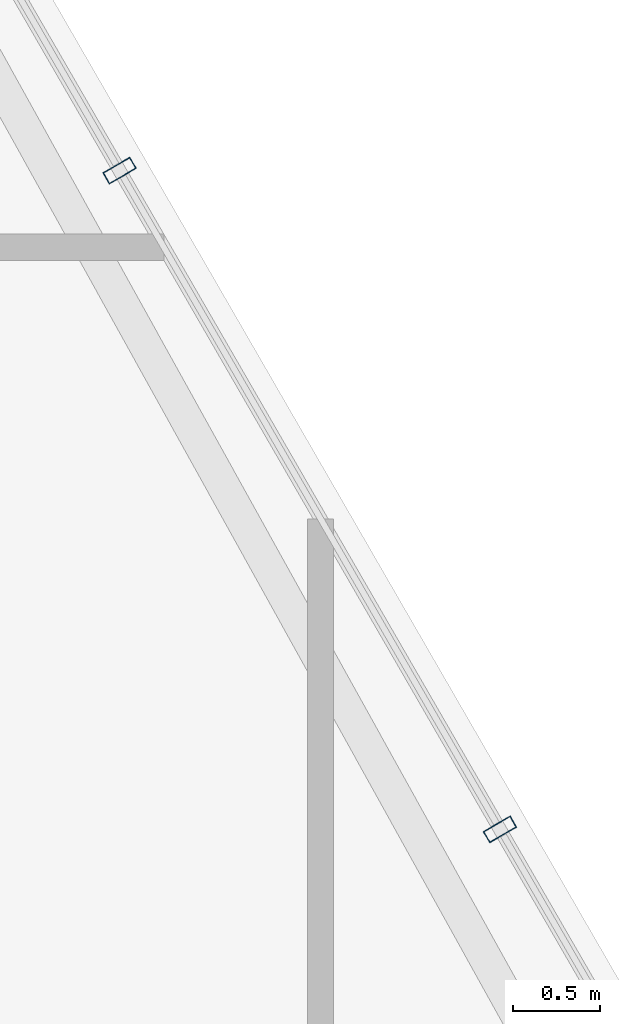
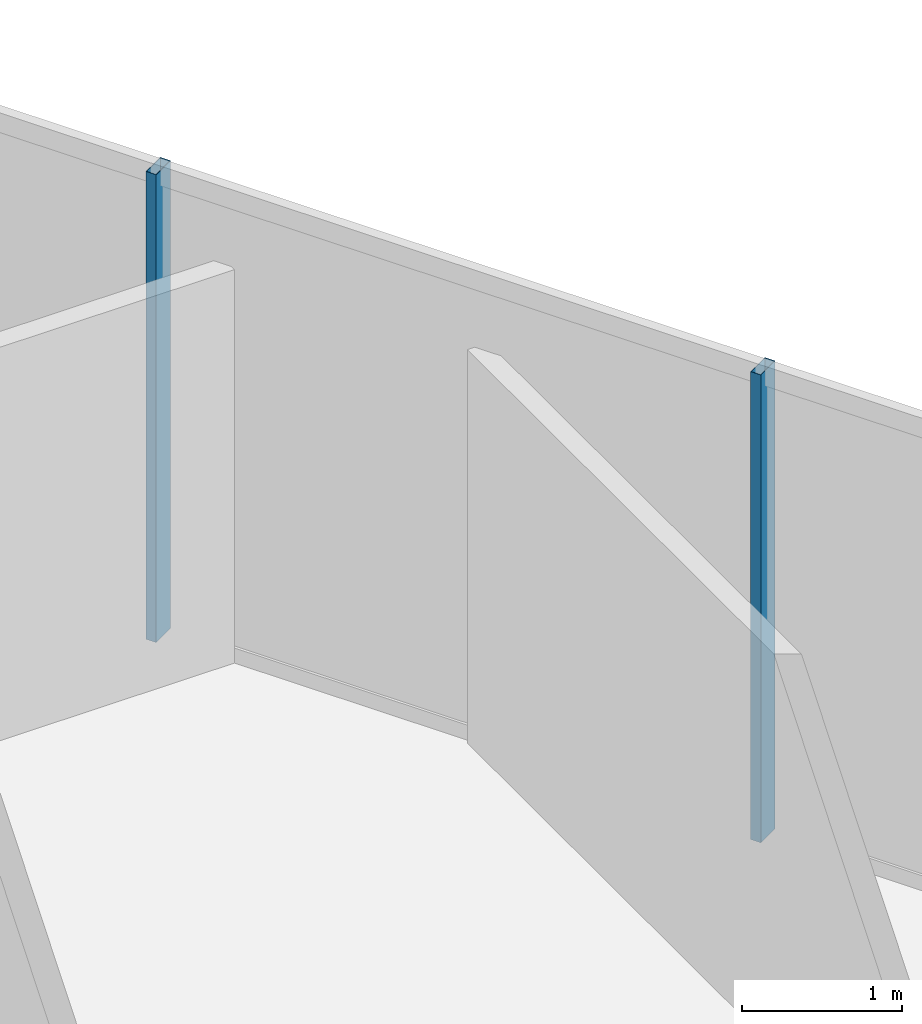
# One storey, part 17 of 29: 2 members, 1 element without a shape of its own.
"""IFC4 building model written with IfcOpenShell, lengths in metres."""

import ifcopenshell
import ifcopenshell.guid

model = None  # the IFC model being written
_history = None  # IfcOwnerHistory: only IFC2X3 demands one
_inside = {}  # id of a spatial element -> (the spatial element, [elements in it])
_under = {}  # id of a project, library or spatial element -> (it, [spatial elements below it])
_declared = {}  # id of a project -> (the project, [libraries it declares])
_typed = {}  # id of a type object -> (the type object, [elements of that type])
_made_of = {}  # id of a material, layer set ... -> (it, [elements and type objects made of it])


def new_model(schema):
    """Start an empty IFC model of exactly this schema.

    Asked for "IFC4X3", IfcOpenShell would pick the latest addendum, in which some entities
    have other attributes; the version numbers below select the first issue.
    IFC2X3 requires an IfcOwnerHistory on every rooted entity: one is made here for all.
    """
    global model, _history
    if schema == "IFC4X3":
        model = ifcopenshell.file(schema_version=(4, 3, 0, 0))
    else:
        model = ifcopenshell.file(schema=schema)
    _inside.clear()
    _under.clear()
    _declared.clear()
    _typed.clear()
    _made_of.clear()
    _history = None
    if model.schema == "IFC2X3":
        org = make("IfcOrganization", Name="unknown")
        user = make(
            "IfcPersonAndOrganization",
            ThePerson=make("IfcPerson", FamilyName="unknown"),
            TheOrganization=org,
        )
        app = make(
            "IfcApplication",
            ApplicationDeveloper=org,
            Version="unknown",
            ApplicationFullName="unknown",
            ApplicationIdentifier="unknown",
        )
        _history = make(
            "IfcOwnerHistory",
            OwningUser=user,
            OwningApplication=app,
            ChangeAction="ADDED",
            CreationDate=0,
        )
    return model


def make(cls, **values):
    """One entity of the class cls with the attributes given. An attribute that is None is left unset."""
    return model.create_entity(
        cls, **{name: value for name, value in values.items() if value is not None}
    )


def rooted(cls, **values):
    """An entity with a GlobalId (a new one), such as an element, a storey or a relation."""
    return make(cls, GlobalId=ifcopenshell.guid.new(), OwnerHistory=_history, **values)


def si_unit(unit_type, name, prefix=None):
    """IfcSIUnit, for example si_unit("LENGTHUNIT", "METRE", prefix="MILLI")."""
    return make("IfcSIUnit", UnitType=unit_type, Prefix=prefix, Name=name)


def assignment(units):
    """IfcUnitAssignment: the units of a project."""
    return None if units is None else make("IfcUnitAssignment", Units=units)


def point(xyz):
    """IfcCartesianPoint."""
    return None if xyz is None else make("IfcCartesianPoint", Coordinates=xyz)


def direction(xyz):
    """IfcDirection."""
    return None if xyz is None else make("IfcDirection", DirectionRatios=xyz)


def frame(location, z_axis=None, x_axis=None):
    """IfcAxis2Placement3D, a coordinate frame: its origin and axes. An axis left out is left unset."""
    return make(
        "IfcAxis2Placement3D",
        Location=point(location),
        Axis=direction(z_axis),
        RefDirection=direction(x_axis),
    )


def frame_2d(location, x_axis=None):
    """IfcAxis2Placement2D, a coordinate frame in the plane: its origin and x axis."""
    return make(
        "IfcAxis2Placement2D", Location=point(location), RefDirection=direction(x_axis)
    )


def origin():
    """The frame at (0, 0, 0) with its axes left unset."""
    return frame((0.0, 0.0, 0.0))


def origin_2d():
    """The frame at (0, 0) in the plane with its x axis left unset."""
    return frame_2d((0.0, 0.0))


def place(relative_to, where):
    """IfcLocalPlacement: puts the frame where relative to a parent placement (None: the world)."""
    return make(
        "IfcLocalPlacement", PlacementRelTo=relative_to, RelativePlacement=where
    )


def context(
    kind, dimensions, precision=None, world=None, true_north=None, identifier=None
):
    """IfcGeometricRepresentationContext, for example the 3D "Model" context."""
    return make(
        "IfcGeometricRepresentationContext",
        ContextIdentifier=identifier,
        ContextType=kind,
        CoordinateSpaceDimension=dimensions,
        Precision=precision,
        WorldCoordinateSystem=world,
        TrueNorth=true_north,
    )


def subcontext(parent, identifier, kind, view, scale=None):
    """IfcGeometricRepresentationSubContext, for example "Body" below "Model"."""
    return make(
        "IfcGeometricRepresentationSubContext",
        ContextIdentifier=identifier,
        ContextType=kind,
        ParentContext=parent,
        TargetScale=scale,
        TargetView=view,
    )


def project(units=None, contexts=None):
    """IfcProject with its units and contexts."""
    return rooted(
        "IfcProject",
        Name="project",
        RepresentationContexts=contexts,
        UnitsInContext=assignment(units),
    )


def spatial(cls, under=None, at=None, **own):
    """A site, building, storey or space (cls), placed at a placement, below another one or the project."""
    s = rooted(cls, ObjectPlacement=at, **own)
    if under is not None:
        _under.setdefault(under.id(), (under, []))[1].append(s)
    return s


def profile(cls, at=None, kind="AREA", **sizes):
    """A parametric profile (cls). Its sizes go by their IFC names, for example OverallWidth=200.0."""
    return make(cls, ProfileType=kind, Position=at, **sizes)


def hollow_rectangle(**sizes):
    """IfcRectangleHollowProfileDef."""
    return profile("IfcRectangleHollowProfileDef", **sizes)


def extrude(swept, where, along, depth):
    """IfcExtrudedAreaSolid: the profile swept, set in the frame where, extruded along a direction by depth."""
    return make(
        "IfcExtrudedAreaSolid",
        SweptArea=swept,
        Position=where,
        ExtrudedDirection=direction(along),
        Depth=depth,
    )


def shape(context_of_items, identifier, shape_type, items):
    """IfcShapeRepresentation: the items that make up one representation, for example the "Body"."""
    return make(
        "IfcShapeRepresentation",
        ContextOfItems=context_of_items,
        RepresentationIdentifier=identifier,
        RepresentationType=shape_type,
        Items=items,
    )


def material(Name=None, Category=None):
    """IfcMaterial."""
    return make("IfcMaterial", Name=Name, Category=Category)


def layer(
    of_material, thickness, ventilated=None, Name=None, Category=None, Priority=None
):
    """IfcMaterialLayer: one layer of a wall or slab, of a material (None: an air gap)."""
    return make(
        "IfcMaterialLayer",
        Material=of_material,
        LayerThickness=thickness,
        IsVentilated=ventilated,
        Name=Name,
        Category=Category,
        Priority=Priority,
    )


def layer_set(layers, Name=None):
    """IfcMaterialLayerSet."""
    return make("IfcMaterialLayerSet", MaterialLayers=layers, LayerSetName=Name)


def material_profile(
    of_material, cross_section, Name=None, Category=None, Priority=None
):
    """IfcMaterialProfile: a cross section and its material."""
    return make(
        "IfcMaterialProfile",
        Name=Name,
        Material=of_material,
        Profile=cross_section,
        Priority=Priority,
        Category=Category,
    )


def profile_set(profiles, Name=None, composite=None):
    """IfcMaterialProfileSet."""
    return make(
        "IfcMaterialProfileSet",
        Name=Name,
        MaterialProfiles=profiles,
        CompositeProfile=composite,
    )


def made_of(thing, what):
    """Note that an element or type object is made of a material, layer set ...; save() writes the relation."""
    if what is not None:
        _made_of.setdefault(what.id(), (what, []))[1].append(thing)
    return thing


def type_object(cls, material=None, **own):
    """A type object (cls), such as IfcWallType, which elements share."""
    return made_of(rooted(cls, **own), material)


def element(
    cls,
    number,
    at=None,
    inside=None,
    cuts=None,
    type_object=None,
    material=None,
    context=None,
    identifier="Body",
    shape_type=None,
    held_by="IfcProductDefinitionShape",
    body=None,
    shapes=None,
    **own,
):
    """One element of the class cls, such as IfcWall. Its Tag is "e" and its number.

    at: its placement. inside: the storey or other place that contains it. cuts: it is an
    opening in that element (IfcRelVoidsElement). A single representation is given by context,
    identifier, shape_type and body (its items); several are given by shapes. held_by: the class
    of the entity that holds the representations. save() writes the other relations.
    """
    e = rooted(cls, Tag="e%d" % number, ObjectPlacement=at, **own)
    if body is not None:
        shapes = [shape(context, identifier, shape_type, body)]
    if shapes is not None:
        e.Representation = make(held_by, Representations=shapes)
    if inside is not None:
        _inside.setdefault(inside.id(), (inside, []))[1].append(e)
    if cuts is not None:
        rooted(
            "IfcRelVoidsElement", RelatingBuildingElement=cuts, RelatedOpeningElement=e
        )
    if type_object is not None:
        _typed.setdefault(type_object.id(), (type_object, []))[1].append(e)
    return made_of(e, material)


def aggregate(whole, parts):
    """IfcRelAggregates: a whole, such as a stair, and the parts it consists of."""
    return rooted("IfcRelAggregates", RelatingObject=whole, RelatedObjects=parts)


def save(model, path):
    """Write the relations noted so far, then the file.

    IfcRelAggregates (storeys below a building ...), IfcRelContainedInSpatialStructure (elements
    in a storey), IfcRelDefinesByType, IfcRelAssociatesMaterial and IfcRelDeclares: one each for
    every whole, place, type object, material and project.
    """
    for whole, parts in _under.values():
        aggregate(whole, parts)
    for where, things in _inside.values():
        rooted(
            "IfcRelContainedInSpatialStructure",
            RelatedElements=things,
            RelatingStructure=where,
        )
    for kind, things in _typed.values():
        rooted("IfcRelDefinesByType", RelatedObjects=things, RelatingType=kind)
    for what, things in _made_of.values():
        rooted("IfcRelAssociatesMaterial", RelatedObjects=things, RelatingMaterial=what)
    for by, libraries in _declared.values():
        rooted("IfcRelDeclares", RelatingContext=by, RelatedDefinitions=libraries)
    model.write(path)


model = new_model("IFC4")

# Units and contexts
model_context = context("Model", 3, precision=1e-05, world=origin(), true_north=direction((0.0, 1.0)))
body_context = subcontext(model_context, "Body", "Model", "MODEL_VIEW")
ifc_project = project(units=[si_unit("LENGTHUNIT", "METRE"), si_unit("AREAUNIT", "SQUARE_METRE"), si_unit("VOLUMEUNIT", "CUBIC_METRE"), si_unit("PLANEANGLEUNIT", "RADIAN"), si_unit("MASSUNIT", "GRAM", prefix="KILO")], contexts=[model_context])

# Site, building, storey
site_placement = place(None, origin())
site = spatial("IfcSite", under=ifc_project, at=site_placement, CompositionType="ELEMENT")
building_placement = place(site_placement, origin())
building = spatial("IfcBuilding", under=site, at=building_placement, Name="Ndaravel Arena Tower", CompositionType="ELEMENT")
storey_placement = place(building_placement, frame((0.0, 0.0, 244.60009765625)))
storey = spatial("IfcBuildingStorey", under=building, at=storey_placement, Name="L59", CompositionType="ELEMENT", Elevation=244.60009765625)

# Curtain wall, members
ifc_material_1 = material(Name="Aluminium", Category="aluminium")
ifc_layer = layer(ifc_material_1, 0.179931640625)
ifc_layer_set = layer_set([ifc_layer], Name="Aluminium")
curtain_wall_type = type_object("IfcCurtainWallType", Name="CW-SYS-03", PredefinedType="NOTDEFINED", material=ifc_layer_set)
curtain_wall_placement = place(storey_placement, origin())
curtain_wall = element("IfcCurtainWall", 1, at=curtain_wall_placement, inside=storey, type_object=curtain_wall_type, Name="L59 Faceted Crystal Curtain Wall CW-L59-E03", PredefinedType="NOTDEFINED")
ifc_material_2 = material(Name="Aluminium", Category="aluminium")
ifc_material_profile = material_profile(ifc_material_2, hollow_rectangle(XDim=0.074951171875, YDim=0.179931640625, WallThickness=0.00390625, at=origin_2d()), Name="CW MULLION 75x180x4")
ifc_profile_set = profile_set([ifc_material_profile], Name="Aluminium")
member_type = type_object("IfcMemberType", Name="MEM-CW-MUL180", PredefinedType="MULLION", material=ifc_profile_set)
member_1_placement = place(storey_placement, frame((58.431640625, 22.251220703125, 0.0), z_axis=(0.0, 0.0, 1.0), x_axis=(-0.5, 0.866025403784, 0.0)))
member_1 = element("IfcMember", 2, at=member_1_placement, type_object=member_type, Name="CW-L59-E03 Mullion 03", PredefinedType="MULLION", context=body_context, shape_type="SweptSolid", body=[
    extrude(hollow_rectangle(XDim=0.074951171875, YDim=0.179931640625, WallThickness=0.00390625, at=origin_2d()), origin(), (0.0, 0.0, 1.0), 3.579833984375),
])
member_2_placement = place(storey_placement, frame((56.24365234375, 26.041015625, 0.0), z_axis=(0.0, 0.0, 1.0), x_axis=(-0.5, 0.866025403784, 0.0)))
member_2 = element("IfcMember", 3, at=member_2_placement, type_object=member_type, Name="CW-L59-E03 Mullion 04", PredefinedType="MULLION", context=body_context, shape_type="SweptSolid", body=[
    extrude(hollow_rectangle(XDim=0.074951171875, YDim=0.179931640625, WallThickness=0.00390625, at=origin_2d()), origin(), (0.0, 0.0, 1.0), 3.579833984375),
])
aggregate(curtain_wall, [member_1, member_2])

save(model, "model.ifc")
